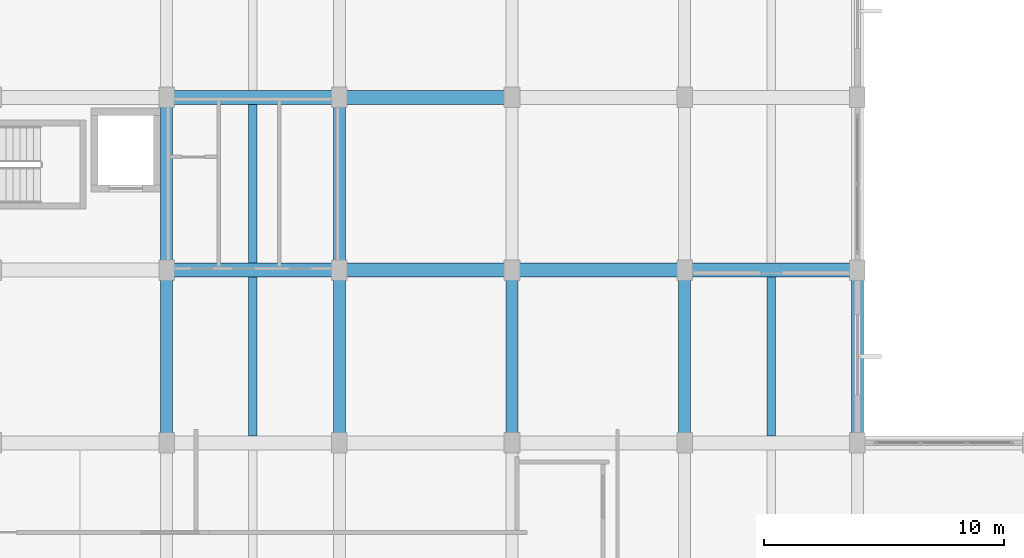
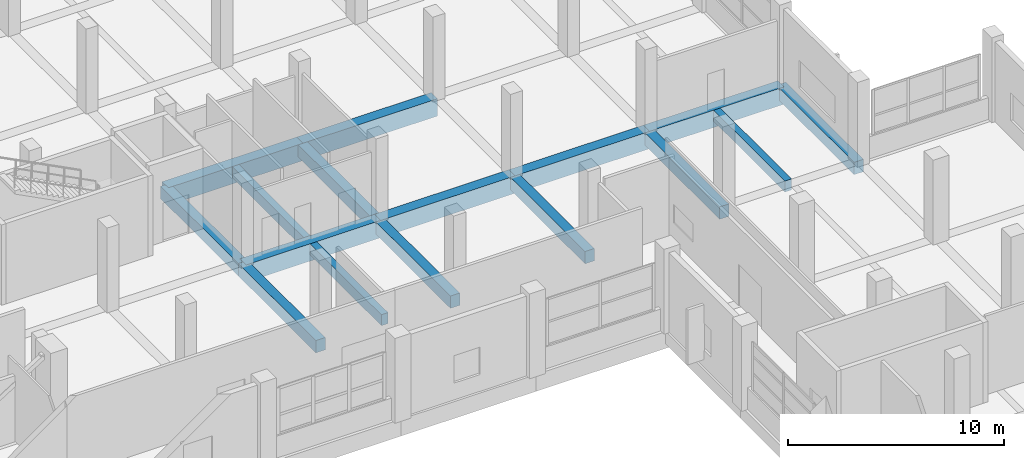
# One storey, part 132 of 181: 16 beams.
"""IFC4 building model written with IfcOpenShell, lengths in metres."""

from ifc_helpers import new_model, si_unit, direction, frame, origin, origin_2d, place, context, subcontext, project, spatial, rectangle, extrude, material, material_profile, profile_set, type_object, element, save


model = new_model("IFC4")

# Units and contexts
model_context = context("Model", 3, precision=1e-05, world=origin(), true_north=direction((0.0, 1.0)))
body_context = subcontext(model_context, "Body", "Model", "MODEL_VIEW")
ifc_project = project(units=[si_unit("LENGTHUNIT", "METRE"), si_unit("AREAUNIT", "SQUARE_METRE"), si_unit("VOLUMEUNIT", "CUBIC_METRE"), si_unit("PLANEANGLEUNIT", "RADIAN"), si_unit("MASSUNIT", "GRAM", prefix="KILO")], contexts=[model_context])

# Site, building, storey
site_placement = place(None, origin())
site = spatial("IfcSite", under=ifc_project, at=site_placement, CompositionType="ELEMENT")
building_placement = place(site_placement, origin())
building = spatial("IfcBuilding", under=site, at=building_placement, Name="Seraya Terrace Polytechnic", CompositionType="ELEMENT")
storey_placement = place(building_placement, frame((0.0, 0.0, 4.800048828125)))
storey = spatial("IfcBuildingStorey", under=building, at=storey_placement, Name="L01", CompositionType="ELEMENT", Elevation=4.800048828125)

# Beams
ifc_material = material(Name="Concrete C40/50", Category="concrete")
ifc_material_profile_1 = material_profile(ifc_material, rectangle(XDim=0.580078125, YDim=0.97998046875, at=origin_2d()), Name="RC 580x980")
ifc_profile_set_1 = profile_set([ifc_material_profile_1], Name="Concrete C40/50")
beam_type_1 = type_object("IfcBeamType", Name="BM-02", PredefinedType="BEAM", material=ifc_profile_set_1)
for number, where, z_axis, x_axis, name in (
    (1, (129.60009765625, 86.39990234375, -0.489990234375), (1.0, 0.0, 0.0), (0.0, 1.0, 0.0), "Beam BM-02 L01 X (129.6..136.8, 86.4)"),
    (2, (136.800048828125, 86.39990234375, -0.489990234375), (1.0, 0.0, 0.0), (0.0, 1.0, 0.0), "Beam BM-02 L01 X (136.8..144.0, 86.4)"),
    (3, (144.0, 86.39990234375, -0.489990234375), (1.0, 0.0, 0.0), (0.0, 1.0, 0.0), "Beam BM-02 L01 X (144.0..151.2, 86.4)"),
    (4, (151.199951171875, 86.39990234375, -0.489990234375), (1.0, 0.0, 0.0), (0.0, 1.0, 0.0), "Beam BM-02 L01 X (151.2..158.4, 86.4)"),
    (5, (129.60009765625, 93.60009765625, -0.489990234375), (1.0, 0.0, 0.0), (0.0, 1.0, 0.0), "Beam BM-02 L01 X (129.6..136.8, 93.6)"),
    (6, (136.800048828125, 93.60009765625, -0.489990234375), (1.0, 0.0, 0.0), (0.0, 1.0, 0.0), "Beam BM-02 L01 X (136.8..144.0, 93.6)"),
):
    element("IfcBeam", number, at=place(storey_placement, frame(where, z_axis=z_axis, x_axis=x_axis)), inside=storey, type_object=beam_type_1, Name=name, PredefinedType="BEAM", context=body_context, shape_type="SweptSolid", body=[
        extrude(rectangle(XDim=0.580078125, YDim=0.97998046875, at=origin_2d()), origin(), (0.0, 0.0, 1.0), 7.199951171875),
    ])
ifc_material_profile_2 = material_profile(ifc_material, rectangle(XDim=0.5, YDim=0.699951171875, at=origin_2d()), Name="RC 500x700")
ifc_profile_set_2 = profile_set([ifc_material_profile_2], Name="Concrete C40/50")
beam_type_2 = type_object("IfcBeamType", Name="BM-07", PredefinedType="BEAM", material=ifc_profile_set_2)
beam_1_placement = place(storey_placement, frame((129.60009765625, 79.199951171875, -0.35009765625), z_axis=(0.0, 1.0, 0.0), x_axis=(-1.0, 0.0, 0.0)))
element("IfcBeam", 7, at=beam_1_placement, inside=storey, type_object=beam_type_2, Name="Beam BM-07 L01 Y (129.6, 79.2..86.4)", PredefinedType="BEAM", context=body_context, shape_type="SweptSolid", body=[
    extrude(rectangle(XDim=0.5, YDim=0.699951171875, at=origin_2d()), origin(), (0.0, 0.0, 1.0), 7.199951171875),
])
beam_2_placement = place(storey_placement, frame((129.60009765625, 86.39990234375, -0.35009765625), z_axis=(0.0, 1.0, 0.0), x_axis=(-1.0, 0.0, 0.0)))
element("IfcBeam", 8, at=beam_2_placement, inside=storey, type_object=beam_type_2, Name="Beam BM-07 L01 Y (129.6, 86.4..93.6)", PredefinedType="BEAM", context=body_context, shape_type="SweptSolid", body=[
    extrude(rectangle(XDim=0.5, YDim=0.699951171875, at=origin_2d()), origin(), (0.0, 0.0, 1.0), 7.2001953125),
])
beam_3_placement = place(storey_placement, frame((136.800048828125, 79.199951171875, -0.35009765625), z_axis=(0.0, 1.0, 0.0), x_axis=(-1.0, 0.0, 0.0)))
element("IfcBeam", 9, at=beam_3_placement, inside=storey, type_object=beam_type_2, Name="Beam BM-07 L01 Y (136.8, 79.2..86.4)", PredefinedType="BEAM", context=body_context, shape_type="SweptSolid", body=[
    extrude(rectangle(XDim=0.5, YDim=0.699951171875, at=origin_2d()), origin(), (0.0, 0.0, 1.0), 7.199951171875),
])
beam_4_placement = place(storey_placement, frame((136.800048828125, 86.39990234375, -0.35009765625), z_axis=(0.0, 1.0, 0.0), x_axis=(-1.0, 0.0, 0.0)))
element("IfcBeam", 10, at=beam_4_placement, inside=storey, type_object=beam_type_2, Name="Beam BM-07 L01 Y (136.8, 86.4..93.6)", PredefinedType="BEAM", context=body_context, shape_type="SweptSolid", body=[
    extrude(rectangle(XDim=0.5, YDim=0.699951171875, at=origin_2d()), origin(), (0.0, 0.0, 1.0), 7.2001953125),
])
for number, where, z_axis, x_axis, name in (
    (11, (144.0, 79.199951171875, -0.35009765625), (0.0, 1.0, 0.0), (-1.0, 0.0, 0.0), "Beam BM-07 L01 Y (144.0, 79.2..86.4)"),
    (12, (151.199951171875, 79.199951171875, -0.35009765625), (0.0, 1.0, 0.0), (-1.0, 0.0, 0.0), "Beam BM-07 L01 Y (151.2, 79.2..86.4)"),
    (13, (158.39990234375, 79.199951171875, -0.35009765625), (0.0, 1.0, 0.0), (-1.0, 0.0, 0.0), "Beam BM-07 L01 Y (158.4, 79.2..86.4)"),
):
    element("IfcBeam", number, at=place(storey_placement, frame(where, z_axis=z_axis, x_axis=x_axis)), inside=storey, type_object=beam_type_2, Name=name, PredefinedType="BEAM", context=body_context, shape_type="SweptSolid", body=[
        extrude(rectangle(XDim=0.5, YDim=0.699951171875, at=origin_2d()), origin(), (0.0, 0.0, 1.0), 7.199951171875),
    ])
ifc_material_profile_3 = material_profile(ifc_material, rectangle(XDim=0.360107421875, YDim=0.6201171875, at=origin_2d()), Name="RC 360x620")
ifc_profile_set_3 = profile_set([ifc_material_profile_3], Name="Concrete C40/50")
beam_type_3 = type_object("IfcBeamType", Name="JS-01", PredefinedType="JOIST", material=ifc_profile_set_3)
for number, where, z_axis, x_axis, name in (
    (14, (133.199951171875, 79.489990234375, -0.31005859375), (0.0, 1.0, 0.0), (-1.0, 0.0, 0.0), "Secondary joist JS-01 L01"),
    (15, (133.199951171875, 86.68994140625, -0.31005859375), (0.0, 1.0, 0.0), (-1.0, 0.0, 0.0), "Secondary joist JS-01 L01"),
    (16, (154.800048828125, 79.489990234375, -0.31005859375), (0.0, 1.0, 0.0), (-1.0, 0.0, 0.0), "Secondary joist JS-01 L01"),
):
    element("IfcBeam", number, at=place(storey_placement, frame(where, z_axis=z_axis, x_axis=x_axis)), inside=storey, type_object=beam_type_3, Name=name, PredefinedType="JOIST", context=body_context, shape_type="SweptSolid", body=[
        extrude(rectangle(XDim=0.360107421875, YDim=0.6201171875, at=origin_2d()), origin(), (0.0, 0.0, 1.0), 6.6201171875),
    ])

save(model, "model.ifc")
